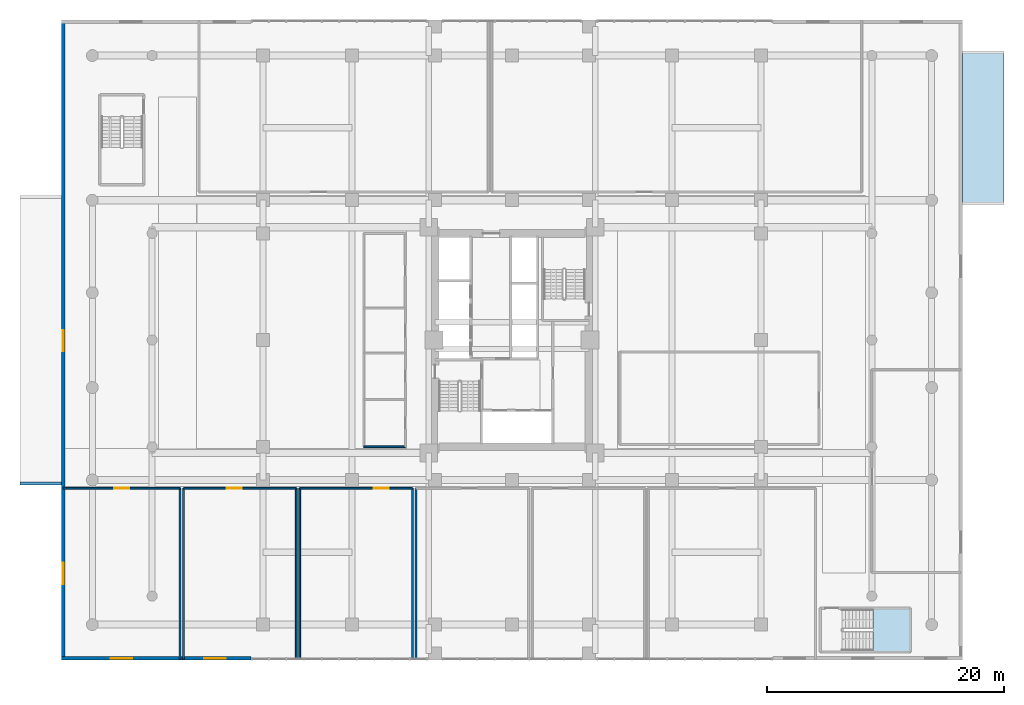
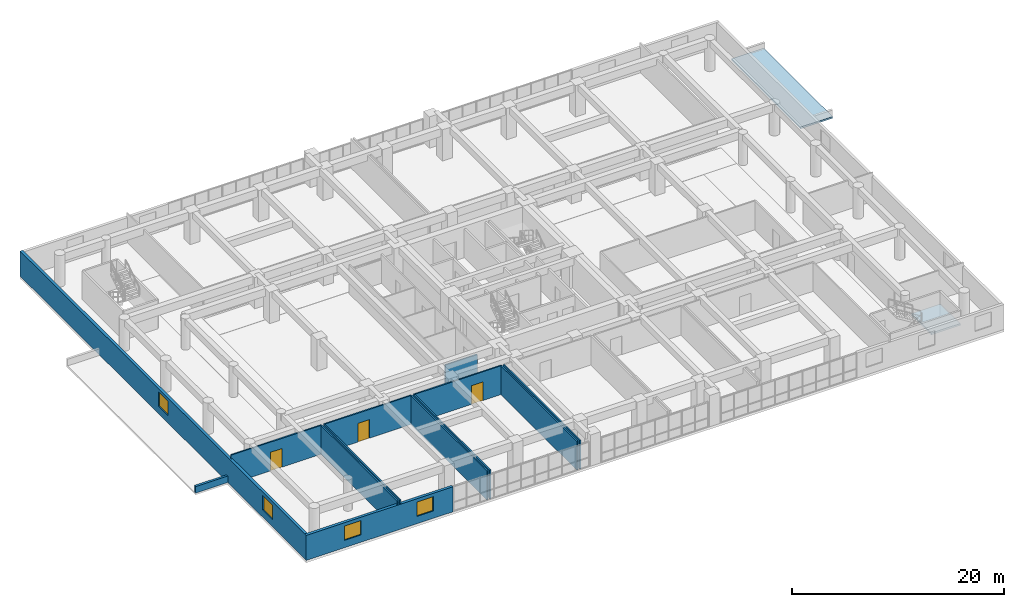
# One storey, part 14 of 27: 13 walls, 4 windows, 3 doors, 2 slabs, 7 openings, 1 element without a shape of its own.
"""IFC4 building model written with IfcOpenShell, lengths in metres."""

from ifc_helpers import new_model, si_unit, direction, frame, frame_2d, origin, place, context, subcontext, project, spatial, polyline, rectangle, outline, extrude, source, transform, mapped, material, layer, layer_set, type_object, element, fill, aggregate, save


model = new_model("IFC4")

# Units and contexts
model_context = context("Model", 3, precision=1e-05, world=origin(), true_north=direction((0.0, 1.0)))
body_context = subcontext(model_context, "Body", "Model", "MODEL_VIEW")
ifc_project = project(units=[si_unit("LENGTHUNIT", "METRE"), si_unit("AREAUNIT", "SQUARE_METRE"), si_unit("VOLUMEUNIT", "CUBIC_METRE"), si_unit("PLANEANGLEUNIT", "RADIAN"), si_unit("MASSUNIT", "GRAM", prefix="KILO")], contexts=[model_context])

# Site, building, storey
site_placement = place(None, origin())
site = spatial("IfcSite", under=ifc_project, at=site_placement, CompositionType="ELEMENT")
building_placement = place(site_placement, origin())
building = spatial("IfcBuilding", under=site, at=building_placement, Name="Saelheon Loggia Tower", CompositionType="ELEMENT")
storey_placement = place(building_placement, frame((0.0, 0.0, 4.199951171875)))
storey = spatial("IfcBuildingStorey", under=building, at=storey_placement, Name="L01", CompositionType="ELEMENT", Elevation=4.199951171875)

# Slab
ifc_material_1 = material(Name="Precast Concrete C45/55", Category="concrete")
ifc_layer_1 = layer(ifc_material_1, 0.199951171875)
ifc_layer_set_1 = layer_set([ifc_layer_1], Name="Precast Concrete C45/55")
slab_type_1 = type_object("IfcSlabType", Name="Slab_CanopyRoof_200", PredefinedType="ROOF", material=ifc_layer_set_1)
slab_1_placement = place(storey_placement, frame((0.0, 0.0, -0.199951171875)))
element("IfcSlab", 1, at=slab_1_placement, inside=storey, type_object=slab_type_1, Name="L01 East Vehicle Gate Weather Canopy Roof", PredefinedType="ROOF", context=body_context, shape_type="SweptSolid", body=[
    extrude(outline(polyline([(76.0, 38.39990234375), (79.5, 38.39990234375), (79.5, 51.39990234375), (76.0, 51.39990234375), (76.0, 38.39990234375)])), origin(), (0.0, 0.0, 1.0), 0.199951171875),
])

# Stair, slab
ifc_material_2 = material(Name="Concrete C40/50", Category="concrete")
stair_type = type_object("IfcStairType", Name="Stair_Escape_Podium", PredefinedType="HALF_TURN_STAIR", material=ifc_material_2)
stair_placement = place(storey_placement, origin())
stair = element("IfcStair", 2, at=stair_placement, inside=storey, type_object=stair_type, Name="L01 Podium Escape Stair ST4", PredefinedType="HALF_TURN_STAIR")
ifc_layer_2 = layer(ifc_material_2, 0.199951171875)
ifc_layer_set_2 = layer_set([ifc_layer_2], Name="Concrete C40/50")
slab_type_2 = type_object("IfcSlabType", Name="Slab_StairLanding_ST4", PredefinedType="LANDING", material=ifc_layer_set_2)
slab_2_placement = place(storey_placement, frame((0.0, 0.0, 1.60009765625)))
slab_2 = element("IfcSlab", 3, at=slab_2_placement, type_object=slab_type_2, Name="ST4 landing 1", PredefinedType="LANDING", context=body_context, shape_type="SweptSolid", body=[
    extrude(outline(polyline([(68.4599609375, 0.659912109375), (71.639892578125, 0.659912109375), (71.639892578125, 4.419921875), (68.4599609375, 4.419921875), (68.4599609375, 0.659912109375)])), origin(), (0.0, 0.0, 1.0), 0.199951171875),
])
aggregate(stair, [slab_2])

# Wall, openings, windows
ifc_material_3 = material(Name="Architectural Precast Concrete C40/50", Category="concrete")
ifc_layer_3 = layer(ifc_material_3, 0.300048828125)
ifc_layer_set_3 = layer_set([ifc_layer_3], Name="Architectural Precast Concrete C40/50")
wall_type_1 = type_object("IfcWallType", Name="Wall_Ext_Podium_300", PredefinedType="SOLIDWALL", material=ifc_layer_set_3)
wall_1_placement = place(storey_placement, frame((0.0, 0.14990234375, 0.0), z_axis=(0.0, 0.0, 1.0), x_axis=(1.0, 0.0, 0.0)))
wall_1 = element("IfcWall", 4, at=wall_1_placement, inside=storey, type_object=wall_type_1, Name="L01 South-West Precast Wall", PredefinedType="SOLIDWALL", context=body_context, shape_type="SweptSolid", body=[
    extrude(rectangle(XDim=16.0, YDim=0.300048828125, at=frame_2d((8.0, 0.0))), origin(), (0.0, 0.0, 1.0), 2.880126953125),
])
opening_1_placement = place(wall_1_placement, frame((4.155029296875, 0.0, 0.85009765625)))
opening_1 = element("IfcOpeningElement", 5, at=opening_1_placement, cuts=wall_1, Name="Opening WN-01", PredefinedType="OPENING", context=body_context, shape_type="SweptSolid", body=[
    extrude(rectangle(XDim=1.800048828125, YDim=1.64990234375, at=frame_2d((0.89990234375, 0.824951171875))), frame((0.0, 0.162109375, 0.0), z_axis=(0.0, -1.0, 0.0), x_axis=(1.0, 0.0, 0.0)), (0.0, 0.0, 1.0), 0.323974609375),
])
opening_2_placement = place(wall_1_placement, frame((12.044921875, 0.0, 0.85009765625)))
opening_2 = element("IfcOpeningElement", 6, at=opening_2_placement, cuts=wall_1, Name="Opening WN-01", PredefinedType="OPENING", context=body_context, shape_type="SweptSolid", body=[
    extrude(rectangle(XDim=1.800048828125, YDim=1.64990234375, at=frame_2d((0.89990234375, 0.824951171875))), frame((0.0, 0.162109375, 0.0), z_axis=(0.0, -1.0, 0.0), x_axis=(1.0, 0.0, 0.0)), (0.0, 0.0, 1.0), 0.323974609375),
])
ifc_material_4 = material(Name="Thermal-Break Aluminium and Triple Low-E Glass", Category="aluminium")
window_type = type_object("IfcWindowType", Name="Win_Dwelling_1800x1650", PartitioningType="SINGLE_PANEL", PredefinedType="WINDOW", material=ifc_material_4)
shared_shape_1 = source(origin(), body_context, "Body", "SweptSolid", [
    extrude(rectangle(XDim=1.800048828125, YDim=1.64990234375, at=frame_2d((0.89990234375, 0.824951171875))), frame((0.0, 0.030029296875, 0.0), z_axis=(0.0, -1.0, 0.0), x_axis=(1.0, 0.0, 0.0)), (0.0, 0.0, 1.0), 0.06005859375),
])
window_1_placement = place(opening_1_placement, origin())
window_1 = element("IfcWindow", 7, at=window_1_placement, inside=storey, type_object=window_type, Name="L01 SW Dwelling Window 1", OverallHeight=1.64990234375, OverallWidth=1.800048828125, PartitioningType="SINGLE_PANEL", PredefinedType="WINDOW", context=body_context, shape_type="MappedRepresentation", body=[
    mapped(shared_shape_1, transform((0.0, 0.0, 0.0), scale=1.0)),
])
fill(opening_1, window_1)
window_2_placement = place(opening_2_placement, origin())
window_2 = element("IfcWindow", 8, at=window_2_placement, inside=storey, type_object=window_type, Name="L01 SW Dwelling Window 2", OverallHeight=1.64990234375, OverallWidth=1.800048828125, PartitioningType="SINGLE_PANEL", PredefinedType="WINDOW", context=body_context, shape_type="MappedRepresentation", body=[
    mapped(shared_shape_1, transform((0.0, 0.0, 0.0), scale=1.0)),
])
fill(opening_2, window_2)

wall_2_placement = place(storey_placement, frame((0.14990234375, 0.0, 0.0), z_axis=(0.0, 0.0, 1.0), x_axis=(0.0, 1.0, 0.0)))
wall_2 = element("IfcWall", 9, at=wall_2_placement, inside=storey, type_object=wall_type_1, Name="L01 West Precast Wall", PredefinedType="SOLIDWALL", context=body_context, shape_type="SweptSolid", body=[
    extrude(rectangle(XDim=54.0, YDim=0.300048828125, at=frame_2d((27.0, 0.0))), origin(), (0.0, 0.0, 1.0), 2.880126953125),
])
opening_3_placement = place(wall_2_placement, frame((6.405029296875, 0.0, 0.85009765625)))
opening_3 = element("IfcOpeningElement", 10, at=opening_3_placement, cuts=wall_2, Name="Opening WN-01", PredefinedType="OPENING", context=body_context, shape_type="SweptSolid", body=[
    extrude(rectangle(XDim=1.800048828125, YDim=1.64990234375, at=frame_2d((0.89990234375, 0.824951171875))), frame((0.0, 0.162109375, 0.0), z_axis=(0.0, -1.0, 0.0), x_axis=(1.0, 0.0, 0.0)), (0.0, 0.0, 1.0), 0.323974609375),
])
opening_4_placement = place(wall_2_placement, frame((26.044921875, 0.0, 0.85009765625)))
opening_4 = element("IfcOpeningElement", 11, at=opening_4_placement, cuts=wall_2, Name="Opening WN-01", PredefinedType="OPENING", context=body_context, shape_type="SweptSolid", body=[
    extrude(rectangle(XDim=1.800048828125, YDim=1.64990234375, at=frame_2d((0.89990234375, 0.824951171875))), frame((0.0, 0.162109375, 0.0), z_axis=(0.0, -1.0, 0.0), x_axis=(1.0, 0.0, 0.0)), (0.0, 0.0, 1.0), 0.323974609375),
])
window_3_placement = place(opening_3_placement, origin())
window_3 = element("IfcWindow", 12, at=window_3_placement, inside=storey, type_object=window_type, Name="L01 W Dwelling Window 1", OverallHeight=1.64990234375, OverallWidth=1.800048828125, PartitioningType="SINGLE_PANEL", PredefinedType="WINDOW", context=body_context, shape_type="MappedRepresentation", body=[
    mapped(shared_shape_1, transform((0.0, 0.0, 0.0), scale=1.0)),
])
fill(opening_3, window_3)
window_4_placement = place(opening_4_placement, origin())
window_4 = element("IfcWindow", 13, at=window_4_placement, inside=storey, type_object=window_type, Name="L01 W Dwelling Window 2", OverallHeight=1.64990234375, OverallWidth=1.800048828125, PartitioningType="SINGLE_PANEL", PredefinedType="WINDOW", context=body_context, shape_type="MappedRepresentation", body=[
    mapped(shared_shape_1, transform((0.0, 0.0, 0.0), scale=1.0)),
])
fill(opening_4, window_4)

# Walls
ifc_layer_4 = layer(ifc_material_3, 0.25)
ifc_layer_set_4 = layer_set([ifc_layer_4], Name="Architectural Precast Concrete C40/50")
wall_type_2 = type_object("IfcWallType", Name="Wall_Parapet_250", PredefinedType="PARAPET", material=ifc_layer_set_4)
wall_3_placement = place(storey_placement, frame((-3.5, 14.919921875, 0.0), z_axis=(0.0, 0.0, 1.0), x_axis=(1.0, 0.0, 0.0)))
element("IfcWall", 14, at=wall_3_placement, inside=storey, type_object=wall_type_2, Name="W Entrance Canopy South Parapet", PredefinedType="PARAPET", context=body_context, shape_type="SweptSolid", body=[
    extrude(rectangle(XDim=3.52001953125, YDim=0.25, at=frame_2d((1.760009765625, 0.0))), origin(), (0.0, 0.0, 1.0), 0.75),
])
ifc_material_5 = material(Name="Lightweight Autoclaved Aerated Concrete Block and Acoustic Gypsum", Category="concrete")
ifc_layer_5 = layer(ifc_material_5, 0.14990234375)
ifc_layer_set_5 = layer_set([ifc_layer_5], Name="Lightweight Autoclaved Aerated Concrete Block and Acoustic Gypsum")
wall_type_3 = type_object("IfcWallType", Name="Wall_Part_150", PredefinedType="PARTITIONING", material=ifc_layer_set_5)
wall_4_placement = place(storey_placement, frame((25.5, 18.0, 0.0), z_axis=(0.0, 0.0, 1.0), x_axis=(1.0, 0.0, 0.0)))
element("IfcWall", 15, at=wall_4_placement, inside=storey, type_object=wall_type_3, Name="PW-L01-WCS-S", PredefinedType="PARTITIONING", context=body_context, shape_type="SweptSolid", body=[
    extrude(rectangle(XDim=3.5, YDim=0.14990234375, at=frame_2d((1.75, 0.0))), origin(), (0.0, 0.0, 1.0), 2.68994140625),
])

# Wall, opening, door
wall_5_placement = place(storey_placement, frame((0.14990234375, 14.5, 0.0), z_axis=(0.0, 0.0, 1.0), x_axis=(1.0, 0.0, 0.0)))
wall_5 = element("IfcWall", 16, at=wall_5_placement, inside=storey, type_object=wall_type_3, Name="PW-L01-PED1-N", PredefinedType="PARTITIONING", context=body_context, shape_type="SweptSolid", body=[
    extrude(rectangle(XDim=9.85009765625, YDim=0.14990234375, at=frame_2d((4.925048828125, 0.0))), origin(), (0.0, 0.0, 1.0), 3.320068359375),
])
opening_5_placement = place(wall_5_placement, frame((4.300048828125, 0.0, 0.0)))
opening_5 = element("IfcOpeningElement", 17, at=opening_5_placement, cuts=wall_5, Name="Opening D-CL1", PredefinedType="OPENING", context=body_context, shape_type="SweptSolid", body=[
    extrude(rectangle(XDim=1.25, YDim=2.14990234375, at=frame_2d((0.625, 1.074951171875))), frame((0.0, 0.0869140625, 0.0), z_axis=(0.0, -1.0, 0.0), x_axis=(1.0, 0.0, 0.0)), (0.0, 0.0, 1.0), 0.173828125),
])
ifc_material_6 = material(Name="Antimicrobial Hospital Laminate Door", Category="timber")
door_type = type_object("IfcDoorType", Name="Door_Clinic_1250", OperationType="NOTDEFINED", PredefinedType="DOOR", material=ifc_material_6)
shared_shape_2 = source(origin(), body_context, "Body", "SweptSolid", [
    extrude(rectangle(XDim=1.25, YDim=2.14990234375, at=frame_2d((0.625, 1.074951171875))), frame((0.0, 0.02490234375, 0.0), z_axis=(0.0, -1.0, 0.0), x_axis=(1.0, 0.0, 0.0)), (0.0, 0.0, 1.0), 0.050048828125),
])
door_1_placement = place(opening_5_placement, origin())
door_1 = element("IfcDoor", 18, at=door_1_placement, inside=storey, type_object=door_type, Name="L01 Paediatric Clinic A Door", OperationType="SINGLE_SWING_RIGHT", OverallHeight=2.14990234375, OverallWidth=1.25, PredefinedType="DOOR", context=body_context, shape_type="MappedRepresentation", body=[
    mapped(shared_shape_2, transform((0.0, 0.0, 0.0), scale=1.0)),
])
fill(opening_5, door_1)

# Wall
wall_6_placement = place(storey_placement, frame((10.0, 0.10009765625, 0.0), z_axis=(0.0, 0.0, 1.0), x_axis=(0.0, 1.0, 0.0)))
element("IfcWall", 19, at=wall_6_placement, inside=storey, type_object=wall_type_3, Name="PW-L01-PED1-E", PredefinedType="PARTITIONING", context=body_context, shape_type="SweptSolid", body=[
    extrude(rectangle(XDim=14.39990234375, YDim=0.14990234375, at=frame_2d((7.199951171875, 0.0))), origin(), (0.0, 0.0, 1.0), 3.320068359375),
])

# Wall, opening, door
wall_7_placement = place(storey_placement, frame((10.300048828125, 14.5, 0.0), z_axis=(0.0, 0.0, 1.0), x_axis=(1.0, 0.0, 0.0)))
wall_7 = element("IfcWall", 20, at=wall_7_placement, inside=storey, type_object=wall_type_3, Name="PW-L01-PED2-N", PredefinedType="PARTITIONING", context=body_context, shape_type="SweptSolid", body=[
    extrude(rectangle(XDim=9.5, YDim=0.14990234375, at=frame_2d((4.75, 0.0))), origin(), (0.0, 0.0, 1.0), 3.320068359375),
])
opening_6_placement = place(wall_7_placement, frame((3.653076171875, 0.0, 0.0)))
opening_6 = element("IfcOpeningElement", 21, at=opening_6_placement, cuts=wall_7, Name="Opening D-CL1", PredefinedType="OPENING", context=body_context, shape_type="SweptSolid", body=[
    extrude(rectangle(XDim=1.25, YDim=2.14990234375, at=frame_2d((0.625, 1.074951171875))), frame((0.0, 0.0869140625, 0.0), z_axis=(0.0, -1.0, 0.0), x_axis=(1.0, 0.0, 0.0)), (0.0, 0.0, 1.0), 0.173828125),
])
door_2_placement = place(opening_6_placement, origin())
door_2 = element("IfcDoor", 22, at=door_2_placement, inside=storey, type_object=door_type, Name="L01 Paediatric Clinic B Door", OperationType="SINGLE_SWING_LEFT", OverallHeight=2.14990234375, OverallWidth=1.25, PredefinedType="DOOR", context=body_context, shape_type="MappedRepresentation", body=[
    mapped(shared_shape_2, transform((0.0, 0.0, 0.0), scale=1.0)),
])
fill(opening_6, door_2)

# Walls
for number, where, z_axis, x_axis, name in (
    (23, (10.300048828125, 0.10009765625, 0.0), (0.0, 0.0, 1.0), (0.0, 1.0, 0.0), "PW-L01-PED2-W"),
    (24, (19.800048828125, 0.10009765625, 0.0), (0.0, 0.0, 1.0), (0.0, 1.0, 0.0), "PW-L01-PED2-E"),
):
    element("IfcWall", number, at=place(storey_placement, frame(where, z_axis=z_axis, x_axis=x_axis)), inside=storey, type_object=wall_type_3, Name=name, PredefinedType="PARTITIONING", context=body_context, shape_type="SweptSolid", body=[
        extrude(rectangle(XDim=14.39990234375, YDim=0.14990234375, at=frame_2d((7.199951171875, 0.0))), origin(), (0.0, 0.0, 1.0), 3.320068359375),
    ])

# Wall, opening, door
wall_8_placement = place(storey_placement, frame((20.10009765625, 14.5, 0.0), z_axis=(0.0, 0.0, 1.0), x_axis=(1.0, 0.0, 0.0)))
wall_8 = element("IfcWall", 25, at=wall_8_placement, inside=storey, type_object=wall_type_3, Name="PW-L01-FAM1A-N", PredefinedType="PARTITIONING", context=body_context, shape_type="SweptSolid", body=[
    extrude(rectangle(XDim=9.5, YDim=0.14990234375, at=frame_2d((4.75, 0.0))), origin(), (0.0, 0.0, 1.0), 3.320068359375),
])
opening_7_placement = place(wall_8_placement, frame((6.248291015625, 0.0, 0.0)))
opening_7 = element("IfcOpeningElement", 26, at=opening_7_placement, cuts=wall_8, Name="Opening D-CL1", PredefinedType="OPENING", context=body_context, shape_type="SweptSolid", body=[
    extrude(rectangle(XDim=1.25, YDim=2.14990234375, at=frame_2d((0.625, 1.074951171875))), frame((0.0, 0.0869140625, 0.0), z_axis=(0.0, -1.0, 0.0), x_axis=(1.0, 0.0, 0.0)), (0.0, 0.0, 1.0), 0.173828125),
])
door_3_placement = place(opening_7_placement, origin())
door_3 = element("IfcDoor", 27, at=door_3_placement, inside=storey, type_object=door_type, Name="L01 Family Medicine Clinic A Door", OperationType="SINGLE_SWING_RIGHT", OverallHeight=2.14990234375, OverallWidth=1.25, PredefinedType="DOOR", context=body_context, shape_type="MappedRepresentation", body=[
    mapped(shared_shape_2, transform((0.0, 0.0, 0.0), scale=1.0)),
])
fill(opening_7, door_3)

# Walls
for number, where, z_axis, x_axis, name in (
    (28, (20.10009765625, 0.10009765625, 0.0), (0.0, 0.0, 1.0), (0.0, 1.0, 0.0), "PW-L01-FAM1A-W"),
    (29, (29.60009765625, 0.10009765625, 0.0), (0.0, 0.0, 1.0), (0.0, 1.0, 0.0), "PW-L01-FAM1A-E"),
    (30, (29.89990234375, 0.10009765625, 0.0), (0.0, 0.0, 1.0), (0.0, 1.0, 0.0), "PW-L01-FAM1B-W"),
):
    element("IfcWall", number, at=place(storey_placement, frame(where, z_axis=z_axis, x_axis=x_axis)), inside=storey, type_object=wall_type_3, Name=name, PredefinedType="PARTITIONING", context=body_context, shape_type="SweptSolid", body=[
        extrude(rectangle(XDim=14.39990234375, YDim=0.14990234375, at=frame_2d((7.199951171875, 0.0))), origin(), (0.0, 0.0, 1.0), 3.320068359375),
    ])

save(model, "model.ifc")
